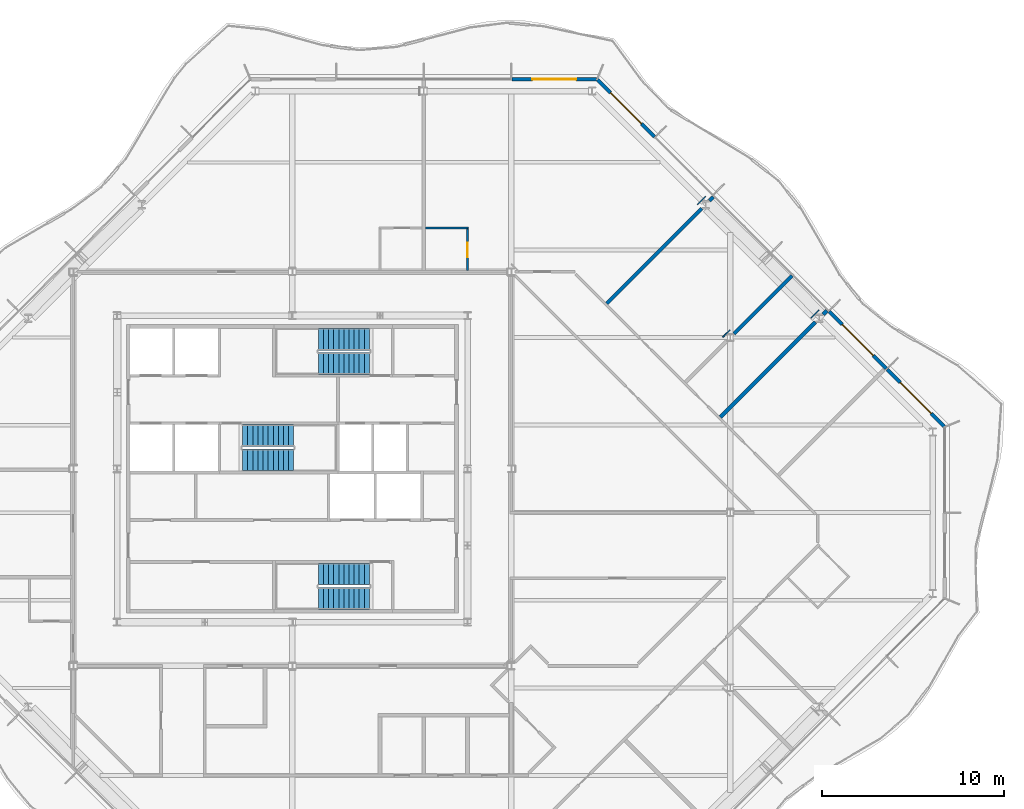
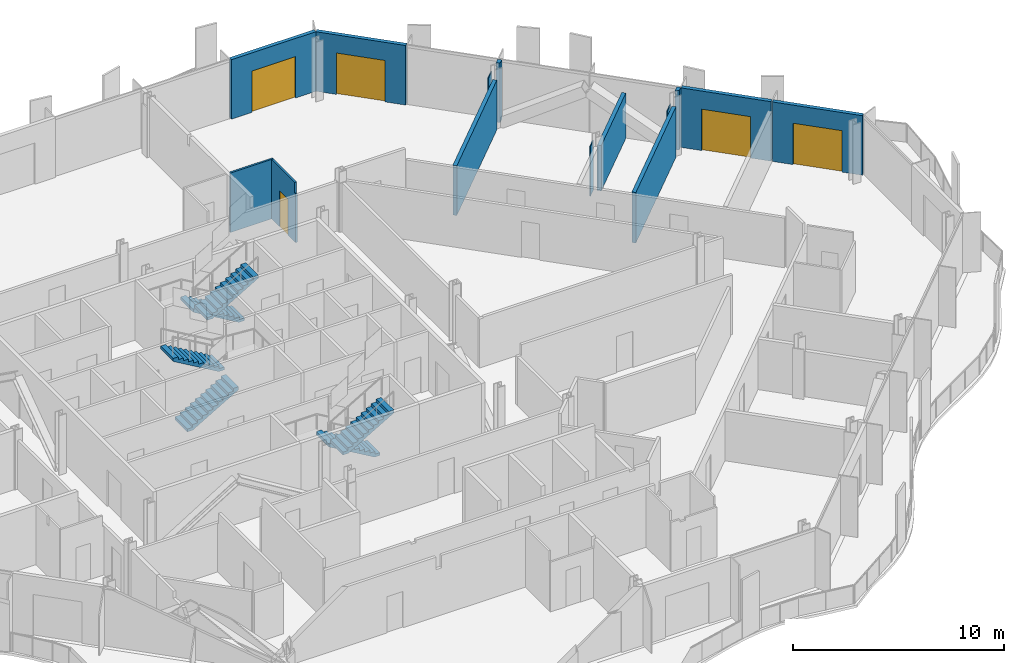
# One storey, part 12 of 17: 14 walls, 6 stair flights, 5 doors, 5 openings, 3 elements without a shape of their own.
"""IFC4 building model written with IfcOpenShell, lengths in metres."""

from ifc_helpers import new_model, si_unit, direction, frame, frame_2d, origin, place, context, subcontext, project, spatial, polyline, rectangle, outline, extrude, material, layer, layer_set, type_object, element, fill, aggregate, save


model = new_model("IFC4")

# Units and contexts
model_context = context("Model", 3, precision=1e-05, world=origin(), true_north=direction((0.0, 1.0)))
body_context = subcontext(model_context, "Body", "Model", "MODEL_VIEW")
ifc_project = project(units=[si_unit("LENGTHUNIT", "METRE"), si_unit("AREAUNIT", "SQUARE_METRE"), si_unit("VOLUMEUNIT", "CUBIC_METRE"), si_unit("PLANEANGLEUNIT", "RADIAN"), si_unit("MASSUNIT", "GRAM", prefix="KILO")], contexts=[model_context])

# Site, building, storey
site_placement = place(None, origin())
site = spatial("IfcSite", under=ifc_project, at=site_placement, CompositionType="ELEMENT")
building_placement = place(site_placement, origin())
building = spatial("IfcBuilding", under=site, at=building_placement, Name="Cairn Pilgrim Tower", CompositionType="ELEMENT")
storey_placement = place(building_placement, frame((0.0, 0.0, 214.199951171875)))
storey = spatial("IfcBuildingStorey", under=building, at=storey_placement, Name="L54", CompositionType="ELEMENT", Elevation=214.199951171875)

# Wall, opening, door
ifc_material_1 = material(Name="Bronze anodised aluminium insulated sandwich panel with mineral wool fill", Category="aluminium")
ifc_layer_1 = layer(ifc_material_1, 0.199951171875)
ifc_layer_set_1 = layer_set([ifc_layer_1], Name="BRONZE INFILL FRAME WALL 200")
wall_type_1 = type_object("IfcWallType", Name="BRONZE INFILL FRAME WALL 200", PredefinedType="NOTDEFINED", material=ifc_layer_set_1)
wall_1_placement = place(storey_placement, frame((42.921630859375, 4.724609375, 0.0), z_axis=(0.0, 0.0, 1.0), x_axis=(-0.707079168996, 0.707134392299, 0.0)))
wall_1 = element("IfcWall", 1, at=wall_1_placement, inside=storey, type_object=wall_type_1, Name="Bronze infill frame wall IW-NE1", PredefinedType="NOTDEFINED", context=body_context, shape_type="SweptSolid", body=[
    extrude(rectangle(XDim=4.4208984375, YDim=0.199951171875, at=frame_2d((2.21044921875, 0.0))), origin(), (0.0, 0.0, 1.0), 3.449951171875),
])
opening_1_placement = place(wall_1_placement, frame((1.00537109375, 0.0, 0.0)))
opening_1 = element("IfcOpeningElement", 2, at=opening_1_placement, cuts=wall_1, Name="Opening 5404B2", PredefinedType="OPENING", context=body_context, shape_type="SweptSolid", body=[
    extrude(rectangle(XDim=2.39990234375, YDim=2.39990234375, at=frame_2d((1.199951171875, 1.199951171875))), frame((0.0, 0.10986328125, 0.0), z_axis=(0.0, -1.0, 0.0), x_axis=(1.0, 0.0, 0.0)), (0.0, 0.0, 1.0), 0.219970703125),
])
ifc_material_2 = material(Name="Bronze anodised aluminium frame with tinted low-E glass", Category="aluminium")
door_type_1 = type_object("IfcDoorType", Name="BALCONY SLIDING DOOR 2400x2400", OperationType="DOUBLE_DOOR_SLIDING", PredefinedType="DOOR", material=ifc_material_2)
door_1_placement = place(opening_1_placement, origin())
door_1 = element("IfcDoor", 3, at=door_1_placement, inside=storey, type_object=door_type_1, Name="Balcony sliding door 5404B2", OperationType="SINGLE_SWING_LEFT", OverallHeight=2.39990234375, OverallWidth=2.39990234375, PredefinedType="DOOR", context=body_context, shape_type="SweptSolid", body=[
    extrude(rectangle(XDim=2.39990234375, YDim=2.39990234375, at=frame_2d((1.199951171875, 1.199951171875))), frame((0.0, 0.02490234375, 0.0), z_axis=(0.0, -1.0, 0.0), x_axis=(1.0, 0.0, 0.0)), (0.0, 0.0, 1.0), 0.050048828125),
])
fill(opening_1, door_1)

wall_2_placement = place(storey_placement, frame((39.753173828125, 7.893310546875, 0.0), z_axis=(0.0, 0.0, 1.0), x_axis=(-0.707106781187, 0.707106781187, 0.0)))
wall_2 = element("IfcWall", 4, at=wall_2_placement, inside=storey, type_object=wall_type_1, Name="Bronze infill frame wall IW-NE2", PredefinedType="NOTDEFINED", context=body_context, shape_type="SweptSolid", body=[
    extrude(rectangle(XDim=4.430908203125, YDim=0.199951171875, at=frame_2d((2.21533203125, 0.0))), origin(), (0.0, 0.0, 1.0), 3.449951171875),
])
opening_2_placement = place(wall_2_placement, frame((1.015625, 0.0, 0.0)))
opening_2 = element("IfcOpeningElement", 5, at=opening_2_placement, cuts=wall_2, Name="Opening 5405B", PredefinedType="OPENING", context=body_context, shape_type="SweptSolid", body=[
    extrude(rectangle(XDim=2.39990234375, YDim=2.39990234375, at=frame_2d((1.199951171875, 1.199951171875))), frame((0.0, 0.10986328125, 0.0), z_axis=(0.0, -1.0, 0.0), x_axis=(1.0, 0.0, 0.0)), (0.0, 0.0, 1.0), 0.219970703125),
])
door_2_placement = place(opening_2_placement, origin())
door_2 = element("IfcDoor", 6, at=door_2_placement, inside=storey, type_object=door_type_1, Name="Balcony sliding door 5405B", OperationType="SINGLE_SWING_LEFT", OverallHeight=2.39990234375, OverallWidth=2.39990234375, PredefinedType="DOOR", context=body_context, shape_type="SweptSolid", body=[
    extrude(rectangle(XDim=2.39990234375, YDim=2.39990234375, at=frame_2d((1.199951171875, 1.199951171875))), frame((0.0, 0.02490234375, 0.0), z_axis=(0.0, -1.0, 0.0), x_axis=(1.0, 0.0, 0.0)), (0.0, 0.0, 1.0), 0.050048828125),
])
fill(opening_2, door_2)

wall_3_placement = place(storey_placement, frame((27.05078125, 20.595703125, 0.0), z_axis=(0.0, 0.0, 1.0), x_axis=(-0.707106781187, 0.707106781187, 0.0)))
wall_3 = element("IfcWall", 7, at=wall_3_placement, inside=storey, type_object=wall_type_1, Name="Bronze infill frame wall IW-NE6", PredefinedType="NOTDEFINED", context=body_context, shape_type="SweptSolid", body=[
    extrude(rectangle(XDim=4.4208984375, YDim=0.199951171875, at=frame_2d((2.21044921875, 0.0))), origin(), (0.0, 0.0, 1.0), 3.449951171875),
])
opening_3_placement = place(wall_3_placement, frame((1.01513671875, 0.0, 0.0)))
opening_3 = element("IfcOpeningElement", 8, at=opening_3_placement, cuts=wall_3, Name="Opening 5408B", PredefinedType="OPENING", context=body_context, shape_type="SweptSolid", body=[
    extrude(rectangle(XDim=2.39990234375, YDim=2.39990234375, at=frame_2d((1.199951171875, 1.199951171875))), frame((0.0, 0.10986328125, 0.0), z_axis=(0.0, -1.0, 0.0), x_axis=(1.0, 0.0, 0.0)), (0.0, 0.0, 1.0), 0.219970703125),
])
door_3_placement = place(opening_3_placement, origin())
door_3 = element("IfcDoor", 9, at=door_3_placement, inside=storey, type_object=door_type_1, Name="Balcony sliding door 5408B", OperationType="SINGLE_SWING_LEFT", OverallHeight=2.39990234375, OverallWidth=2.39990234375, PredefinedType="DOOR", context=body_context, shape_type="SweptSolid", body=[
    extrude(rectangle(XDim=2.39990234375, YDim=2.39990234375, at=frame_2d((1.199951171875, 1.199951171875))), frame((0.0, 0.02490234375, 0.0), z_axis=(0.0, -1.0, 0.0), x_axis=(1.0, 0.0, 0.0)), (0.0, 0.0, 1.0), 0.050048828125),
])
fill(opening_3, door_3)

wall_4_placement = place(storey_placement, frame((23.8564453125, 23.75, 0.0), z_axis=(0.0, 0.0, 1.0), x_axis=(-1.0, 0.0, 0.0)))
wall_4 = element("IfcWall", 10, at=wall_4_placement, inside=storey, type_object=wall_type_1, Name="Bronze infill frame wall IW-N1", PredefinedType="NOTDEFINED", context=body_context, shape_type="SweptSolid", body=[
    extrude(rectangle(XDim=4.62646484375, YDim=0.199951171875, at=frame_2d((2.313232421875, 0.0))), origin(), (0.0, 0.0, 1.0), 3.449951171875),
])
opening_4_placement = place(wall_4_placement, frame((1.1083984375, 0.0, 0.0)))
opening_4 = element("IfcOpeningElement", 11, at=opening_4_placement, cuts=wall_4, Name="Opening 5408B2", PredefinedType="OPENING", context=body_context, shape_type="SweptSolid", body=[
    extrude(rectangle(XDim=2.39990234375, YDim=2.39990234375, at=frame_2d((1.199951171875, 1.199951171875))), frame((0.0, 0.10986328125, 0.0), z_axis=(0.0, -1.0, 0.0), x_axis=(1.0, 0.0, 0.0)), (0.0, 0.0, 1.0), 0.219970703125),
])
door_4_placement = place(opening_4_placement, origin())
door_4 = element("IfcDoor", 12, at=door_4_placement, inside=storey, type_object=door_type_1, Name="Balcony sliding door 5408B2", OperationType="SINGLE_SWING_LEFT", OverallHeight=2.39990234375, OverallWidth=2.39990234375, PredefinedType="DOOR", context=body_context, shape_type="SweptSolid", body=[
    extrude(rectangle(XDim=2.39990234375, YDim=2.39990234375, at=frame_2d((1.199951171875, 1.199951171875))), frame((0.0, 0.02490234375, 0.0), z_axis=(0.0, -1.0, 0.0), x_axis=(1.0, 0.0, 0.0)), (0.0, 0.0, 1.0), 0.050048828125),
])
fill(opening_4, door_4)

ifc_material_3 = material(Name="Gypsum partition")
ifc_layer_2 = layer(ifc_material_3, 0.10009765625)
ifc_layer_set_2 = layer_set([ifc_layer_2], Name="PARTITION 100 DRYWALL")
wall_type_2 = type_object("IfcWallType", Name="PARTITION 100 DRYWALL", PredefinedType="PARTITIONING", material=ifc_layer_set_2)
wall_5_placement = place(storey_placement, frame((16.800048828125, 13.27490234375, 0.0), z_axis=(0.0, 0.0, 1.0), x_axis=(0.0, 1.0, 0.0)))
wall_5 = element("IfcWall", 13, at=wall_5_placement, inside=storey, type_object=wall_type_2, Name="PARTITION W071", PredefinedType="PARTITIONING", context=body_context, shape_type="SweptSolid", body=[
    extrude(outline(polyline([(0.0, 0.0), (2.275146484375, 0.0), (2.27490234375, 3.449951171875), (0.074951171875, 3.449951171875), (0.072998046875, 2.830078125), (0.0, 2.830078125), (0.0, 0.0)])), frame((0.0, 0.050048828125, 0.0), z_axis=(0.0, -1.0, 0.0), x_axis=(1.0, 0.0, 0.0)), (0.0, 0.0, 1.0), 0.10009765625),
])
opening_5_placement = place(wall_5_placement, frame((0.72509765625, 0.0, 0.0)))
opening_5 = element("IfcOpeningElement", 14, at=opening_5_placement, cuts=wall_5, Name="Opening 5408A", PredefinedType="OPENING", context=body_context, shape_type="SweptSolid", body=[
    extrude(rectangle(XDim=0.800048828125, YDim=2.10009765625, at=frame_2d((0.39990234375, 1.050048828125))), frame((0.0, 0.06005859375, 0.0), z_axis=(0.0, -1.0, 0.0), x_axis=(1.0, 0.0, 0.0)), (0.0, 0.0, 1.0), 0.1201171875),
])
ifc_material_4 = material(Name="Timber door leaf", Category="wood")
door_type_2 = type_object("IfcDoorType", Name="WC DOOR 800x2100", OperationType="NOTDEFINED", PredefinedType="DOOR", material=ifc_material_4)
door_5_placement = place(opening_5_placement, frame((0.800048828125, 0.0, 0.0), z_axis=(0.0, 0.0, 1.0), x_axis=(-1.0, 0.0, 0.0)))
door_5 = element("IfcDoor", 15, at=door_5_placement, inside=storey, type_object=door_type_2, Name="DOOR 5408A", OperationType="SINGLE_SWING_LEFT", OverallHeight=2.10009765625, OverallWidth=0.800048828125, PredefinedType="DOOR", context=body_context, shape_type="SweptSolid", body=[
    extrude(rectangle(XDim=0.800048828125, YDim=2.10009765625, at=frame_2d((0.39990234375, 1.050048828125))), frame((0.0, 0.02490234375, 0.0), z_axis=(0.0, -1.0, 0.0), x_axis=(1.0, 0.0, 0.0)), (0.0, 0.0, 1.0), 0.050048828125),
])
fill(opening_5, door_5)

# Walls
wall_6_placement = place(storey_placement, frame((14.5, 15.60009765625, 0.0), z_axis=(0.0, 0.0, 1.0), x_axis=(1.0, 0.0, 0.0)))
element("IfcWall", 16, at=wall_6_placement, inside=storey, type_object=wall_type_2, Name="PARTITION W073", PredefinedType="PARTITIONING", context=body_context, shape_type="SweptSolid", body=[
    extrude(rectangle(XDim=2.35009765625, YDim=0.10009765625, at=frame_2d((1.175048828125, 0.0))), origin(), (0.0, 0.0, 1.0), 3.449951171875),
])
ifc_layer_3 = layer(ifc_material_3, 0.050048828125)
ifc_layer_set_3 = layer_set([ifc_layer_3], Name="PARTITION 50 DRYWALL EI 60")
wall_type_3 = type_object("IfcWallType", Name="PARTITION 50 DRYWALL EI 60", PredefinedType="PARTITIONING", material=ifc_layer_set_3)
wall_7_placement = place(storey_placement, frame((35.626953125, 10.669189453125, 0.0), z_axis=(0.0, 0.0, 1.0), x_axis=(0.707307009627, 0.706906496032, 0.0)))
element("IfcWall", 17, at=wall_7_placement, inside=storey, type_object=wall_type_3, Name="COLUMN CASING WC19", PredefinedType="PARTITIONING", context=body_context, shape_type="SweptSolid", body=[
    extrude(rectangle(XDim=0.609619140625, YDim=0.050048828125, at=frame_2d((0.3046875, 0.0))), origin(), (0.0, 0.0, 1.0), 2.630126953125),
])
wall_8_placement = place(storey_placement, frame((30.786376953125, 9.61767578125, 0.0), z_axis=(0.0, 0.0, 1.0), x_axis=(0.707106781187, 0.707106781187, 0.0)))
element("IfcWall", 18, at=wall_8_placement, inside=storey, type_object=wall_type_3, Name="COLUMN CASING WC20", PredefinedType="PARTITIONING", context=body_context, shape_type="SweptSolid", body=[
    extrude(rectangle(XDim=0.56005859375, YDim=0.050048828125, at=frame_2d((0.280029296875, 0.0))), origin(), (0.0, 0.0, 1.0), 2.880126953125),
])
wall_9_placement = place(storey_placement, frame((29.40283203125, 16.893310546875, 0.0), z_axis=(0.0, 0.0, 1.0), x_axis=(0.706906496032, 0.707307009627, 0.0)))
element("IfcWall", 19, at=wall_9_placement, inside=storey, type_object=wall_type_3, Name="COLUMN CASING WC21", PredefinedType="PARTITIONING", context=body_context, shape_type="SweptSolid", body=[
    extrude(rectangle(XDim=0.609619140625, YDim=0.050048828125, at=frame_2d((0.3046875, 0.0))), origin(), (0.0, 0.0, 1.0), 2.929931640625),
])
ifc_layer_4 = layer(ifc_material_3, 0.199951171875)
ifc_layer_set_4 = layer_set([ifc_layer_4], Name="SHAFT WALL 200 GYPSUM EI 60")
wall_type_4 = type_object("IfcWallType", Name="SHAFT WALL 200 GYPSUM EI 60", PredefinedType="PARTITIONING", material=ifc_layer_set_4)
wall_10_placement = place(storey_placement, frame((30.662109375, 5.238037109375, 0.0), z_axis=(0.0, 0.0, 1.0), x_axis=(0.707106781187, 0.707106781187, 0.0)))
element("IfcWall", 20, at=wall_10_placement, inside=storey, type_object=wall_type_4, Name="PARTITION W061", PredefinedType="PARTITIONING", context=body_context, shape_type="SweptSolid", body=[
    extrude(rectangle(XDim=7.35107421875, YDim=0.199951171875, at=frame_2d((3.675537109375, 0.0))), origin(), (0.0, 0.0, 1.0), 2.929931640625),
])
wall_11_placement = place(storey_placement, frame((31.39794921875, 9.798095703125, 0.0), z_axis=(0.0, 0.0, 1.0), x_axis=(0.707133900936, 0.707079660397, 0.0)))
element("IfcWall", 21, at=wall_11_placement, inside=storey, type_object=wall_type_4, Name="PARTITION W063", PredefinedType="PARTITIONING", context=body_context, shape_type="SweptSolid", body=[
    extrude(rectangle(XDim=4.5009765625, YDim=0.199951171875, at=frame_2d((2.25048828125, 0.0))), origin(), (0.0, 0.0, 1.0), 2.630126953125),
])
wall_12_placement = place(storey_placement, frame((36.291015625, 10.8671875, 0.0), z_axis=(0.0, 0.0, 1.0), x_axis=(0.707534423513, 0.706678880075, 0.0)))
element("IfcWall", 22, at=wall_12_placement, inside=storey, type_object=wall_type_4, Name="PARTITION W064", PredefinedType="PARTITIONING", context=body_context, shape_type="SweptSolid", body=[
    extrude(rectangle(XDim=0.285400390625, YDim=0.199951171875, at=frame_2d((0.142578125, 0.0))), origin(), (0.0, 0.0, 1.0), 3.449951171875),
])
wall_13_placement = place(storey_placement, frame((24.43798828125, 11.4619140625, 0.0), z_axis=(0.0, 0.0, 1.0), x_axis=(0.707090175614, 0.707123386369, 0.0)))
element("IfcWall", 23, at=wall_13_placement, inside=storey, type_object=wall_type_4, Name="PARTITION W065", PredefinedType="PARTITIONING", context=body_context, shape_type="SweptSolid", body=[
    extrude(rectangle(XDim=7.351318359375, YDim=0.199951171875, at=frame_2d((3.67578125, 0.0))), origin(), (0.0, 0.0, 1.0), 2.880126953125),
])
wall_14_placement = place(storey_placement, frame((30.067138671875, 17.091064453125, 0.0), z_axis=(0.0, 0.0, 1.0), x_axis=(0.707106781187, 0.707106781187, 0.0)))
element("IfcWall", 24, at=wall_14_placement, inside=storey, type_object=wall_type_4, Name="PARTITION W074", PredefinedType="PARTITIONING", context=body_context, shape_type="SweptSolid", body=[
    extrude(rectangle(XDim=0.28515625, YDim=0.199951171875, at=frame_2d((0.142578125, 0.0))), origin(), (0.0, 0.0, 1.0), 3.449951171875),
])

# Stair, stair flights
ifc_material_5 = material(Name="Concrete C32/40", Category="concrete")
stair_type = type_object("IfcStairType", Name="EXIT STAIR 1200", PredefinedType="HALF_TURN_STAIR", material=ifc_material_5)
stair_1_placement = place(storey_placement, origin())
stair_1 = element("IfcStair", 25, at=stair_1_placement, inside=storey, type_object=stair_type, Name="L54 Exit Stair A", PredefinedType="HALF_TURN_STAIR")
stair_flight_type = type_object("IfcStairFlightType", Name="STAIR FLIGHT 1200", PredefinedType="STRAIGHT", material=ifc_material_5)
stair_flight_1_placement = place(storey_placement, frame((11.425048828125, -3.375, 0.0), z_axis=(0.0, 0.0, 1.0), x_axis=(-1.0, 0.0, 0.0)))
stair_flight_1 = element("IfcStairFlight", 26, at=stair_flight_1_placement, type_object=stair_flight_type, Name="ST-A flight 1", NumberOfRisers=11, NumberOfTreads=10, PredefinedType="STRAIGHT", RiserHeight=0.163636364, TreadLength=0.28, context=body_context, shape_type="SweptSolid", body=[
    extrude(outline(polyline([(0.0, 0.0), (0.0, 0.16357421875), (0.280029296875, 0.16357421875), (0.280029296875, 0.327392578125), (0.56005859375, 0.327392578125), (0.56005859375, 0.490966796875), (0.840087890625, 0.490966796875), (0.840087890625, 0.654541015625), (1.1201171875, 0.654541015625), (1.1201171875, 0.818115234375), (1.39990234375, 0.818115234375), (1.39990234375, 0.98193359375), (1.679931640625, 0.98193359375), (1.679931640625, 1.1455078125), (1.9599609375, 1.1455078125), (1.9599609375, 1.30908203125), (2.239990234375, 1.30908203125), (2.239990234375, 1.47265625), (2.52001953125, 1.47265625), (2.52001953125, 1.636474609375), (2.800048828125, 1.636474609375), (2.800048828125, 1.800048828125), (2.800048828125, 1.462646484375), (0.297119140625, 0.0), (0.0, 0.0)])), frame((0.0, 0.60009765625, 0.0), z_axis=(0.0, -1.0, 0.0), x_axis=(1.0, 0.0, 0.0)), (0.0, 0.0, 1.0), 1.199951171875),
])
stair_flight_2_placement = place(storey_placement, frame((8.625, -4.699951171875, 1.800048828125), z_axis=(0.0, 0.0, 1.0), x_axis=(1.0, 0.0, 0.0)))
stair_flight_2 = element("IfcStairFlight", 27, at=stair_flight_2_placement, type_object=stair_flight_type, Name="ST-A flight 2", NumberOfRisers=11, NumberOfTreads=10, PredefinedType="STRAIGHT", RiserHeight=0.163636364, TreadLength=0.28, context=body_context, shape_type="SweptSolid", body=[
    extrude(outline(polyline([(0.0, 0.0), (0.0, 0.16357421875), (0.280029296875, 0.16357421875), (0.280029296875, 0.327392578125), (0.56005859375, 0.327392578125), (0.56005859375, 0.490966796875), (0.840087890625, 0.490966796875), (0.840087890625, 0.654541015625), (1.1201171875, 0.654541015625), (1.1201171875, 0.818115234375), (1.39990234375, 0.818115234375), (1.39990234375, 0.98193359375), (1.679931640625, 0.98193359375), (1.679931640625, 1.1455078125), (1.9599609375, 1.1455078125), (1.9599609375, 1.30908203125), (2.239990234375, 1.30908203125), (2.239990234375, 1.47265625), (2.52001953125, 1.47265625), (2.52001953125, 1.636474609375), (2.800048828125, 1.636474609375), (2.800048828125, 1.800048828125), (2.800048828125, 1.462646484375), (0.297119140625, 0.0), (0.0, 0.0)])), frame((0.0, 0.60009765625, 0.0), z_axis=(0.0, -1.0, 0.0), x_axis=(1.0, 0.0, 0.0)), (0.0, 0.0, 1.0), 1.199951171875),
])
aggregate(stair_1, [stair_flight_1, stair_flight_2])

stair_2_placement = place(storey_placement, origin())
stair_2 = element("IfcStair", 28, at=stair_2_placement, inside=storey, type_object=stair_type, Name="L54 Exit Stair B", PredefinedType="HALF_TURN_STAIR")
stair_flight_3_placement = place(storey_placement, frame((4.47509765625, 2.875, 0.0), z_axis=(0.0, 0.0, 1.0), x_axis=(1.0, 0.0, 0.0)))
stair_flight_3 = element("IfcStairFlight", 29, at=stair_flight_3_placement, type_object=stair_flight_type, Name="ST-B flight 1", NumberOfRisers=11, NumberOfTreads=10, PredefinedType="STRAIGHT", RiserHeight=0.163636364, TreadLength=0.28, context=body_context, shape_type="SweptSolid", body=[
    extrude(outline(polyline([(0.0, 0.0), (0.0, 0.16357421875), (0.280029296875, 0.16357421875), (0.280029296875, 0.327392578125), (0.56005859375, 0.327392578125), (0.56005859375, 0.490966796875), (0.840087890625, 0.490966796875), (0.840087890625, 0.654541015625), (1.1201171875, 0.654541015625), (1.1201171875, 0.818115234375), (1.39990234375, 0.818115234375), (1.39990234375, 0.98193359375), (1.679931640625, 0.98193359375), (1.679931640625, 1.1455078125), (1.9599609375, 1.1455078125), (1.9599609375, 1.30908203125), (2.239990234375, 1.30908203125), (2.239990234375, 1.47265625), (2.52001953125, 1.47265625), (2.52001953125, 1.636474609375), (2.800048828125, 1.636474609375), (2.800048828125, 1.800048828125), (2.800048828125, 1.462646484375), (0.297119140625, 0.0), (0.0, 0.0)])), frame((0.0, 0.60009765625, 0.0), z_axis=(0.0, -1.0, 0.0), x_axis=(1.0, 0.0, 0.0)), (0.0, 0.0, 1.0), 1.199951171875),
])
stair_flight_4_placement = place(storey_placement, frame((7.27490234375, 4.22509765625, 1.800048828125), z_axis=(0.0, 0.0, 1.0), x_axis=(-1.0, 0.0, 0.0)))
stair_flight_4 = element("IfcStairFlight", 30, at=stair_flight_4_placement, type_object=stair_flight_type, Name="ST-B flight 2", NumberOfRisers=11, NumberOfTreads=10, PredefinedType="STRAIGHT", RiserHeight=0.163636364, TreadLength=0.28, context=body_context, shape_type="SweptSolid", body=[
    extrude(outline(polyline([(0.0, 0.0), (0.0, 0.16357421875), (0.280029296875, 0.16357421875), (0.280029296875, 0.327392578125), (0.56005859375, 0.327392578125), (0.56005859375, 0.490966796875), (0.840087890625, 0.490966796875), (0.840087890625, 0.654541015625), (1.1201171875, 0.654541015625), (1.1201171875, 0.818115234375), (1.39990234375, 0.818115234375), (1.39990234375, 0.98193359375), (1.679931640625, 0.98193359375), (1.679931640625, 1.1455078125), (1.9599609375, 1.1455078125), (1.9599609375, 1.30908203125), (2.239990234375, 1.30908203125), (2.239990234375, 1.47265625), (2.52001953125, 1.47265625), (2.52001953125, 1.636474609375), (2.800048828125, 1.636474609375), (2.800048828125, 1.800048828125), (2.800048828125, 1.462646484375), (0.297119140625, 0.0), (0.0, 0.0)])), frame((0.0, 0.60009765625, 0.0), z_axis=(0.0, -1.0, 0.0), x_axis=(1.0, 0.0, 0.0)), (0.0, 0.0, 1.0), 1.199951171875),
])
aggregate(stair_2, [stair_flight_3, stair_flight_4])

stair_3_placement = place(storey_placement, origin())
stair_3 = element("IfcStair", 31, at=stair_3_placement, inside=storey, type_object=stair_type, Name="L54 Exit Stair C", PredefinedType="HALF_TURN_STAIR")
stair_flight_5_placement = place(storey_placement, frame((11.425048828125, 9.5, 0.0), z_axis=(0.0, 0.0, 1.0), x_axis=(-1.0, 0.0, 0.0)))
stair_flight_5 = element("IfcStairFlight", 32, at=stair_flight_5_placement, type_object=stair_flight_type, Name="ST-C flight 1", NumberOfRisers=11, NumberOfTreads=10, PredefinedType="STRAIGHT", RiserHeight=0.163636364, TreadLength=0.28, context=body_context, shape_type="SweptSolid", body=[
    extrude(outline(polyline([(0.0, 0.0), (0.0, 0.16357421875), (0.280029296875, 0.16357421875), (0.280029296875, 0.327392578125), (0.56005859375, 0.327392578125), (0.56005859375, 0.490966796875), (0.840087890625, 0.490966796875), (0.840087890625, 0.654541015625), (1.1201171875, 0.654541015625), (1.1201171875, 0.818115234375), (1.39990234375, 0.818115234375), (1.39990234375, 0.98193359375), (1.679931640625, 0.98193359375), (1.679931640625, 1.1455078125), (1.9599609375, 1.1455078125), (1.9599609375, 1.30908203125), (2.239990234375, 1.30908203125), (2.239990234375, 1.47265625), (2.52001953125, 1.47265625), (2.52001953125, 1.636474609375), (2.800048828125, 1.636474609375), (2.800048828125, 1.800048828125), (2.800048828125, 1.462646484375), (0.297119140625, 0.0), (0.0, 0.0)])), frame((0.0, 0.60009765625, 0.0), z_axis=(0.0, -1.0, 0.0), x_axis=(1.0, 0.0, 0.0)), (0.0, 0.0, 1.0), 1.199951171875),
])
stair_flight_6_placement = place(storey_placement, frame((8.625, 8.175048828125, 1.800048828125), z_axis=(0.0, 0.0, 1.0), x_axis=(1.0, 0.0, 0.0)))
stair_flight_6 = element("IfcStairFlight", 33, at=stair_flight_6_placement, type_object=stair_flight_type, Name="ST-C flight 2", NumberOfRisers=11, NumberOfTreads=10, PredefinedType="STRAIGHT", RiserHeight=0.163636364, TreadLength=0.28, context=body_context, shape_type="SweptSolid", body=[
    extrude(outline(polyline([(0.0, 0.0), (0.0, 0.16357421875), (0.280029296875, 0.16357421875), (0.280029296875, 0.327392578125), (0.56005859375, 0.327392578125), (0.56005859375, 0.490966796875), (0.840087890625, 0.490966796875), (0.840087890625, 0.654541015625), (1.1201171875, 0.654541015625), (1.1201171875, 0.818115234375), (1.39990234375, 0.818115234375), (1.39990234375, 0.98193359375), (1.679931640625, 0.98193359375), (1.679931640625, 1.1455078125), (1.9599609375, 1.1455078125), (1.9599609375, 1.30908203125), (2.239990234375, 1.30908203125), (2.239990234375, 1.47265625), (2.52001953125, 1.47265625), (2.52001953125, 1.636474609375), (2.800048828125, 1.636474609375), (2.800048828125, 1.800048828125), (2.800048828125, 1.462646484375), (0.297119140625, 0.0), (0.0, 0.0)])), frame((0.0, 0.60009765625, 0.0), z_axis=(0.0, -1.0, 0.0), x_axis=(1.0, 0.0, 0.0)), (0.0, 0.0, 1.0), 1.199951171875),
])
aggregate(stair_3, [stair_flight_5, stair_flight_6])

save(model, "model.ifc")
